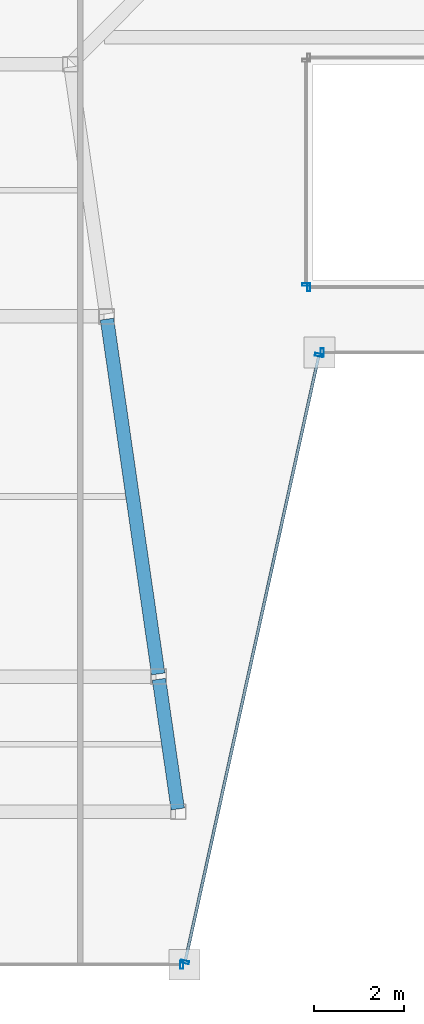
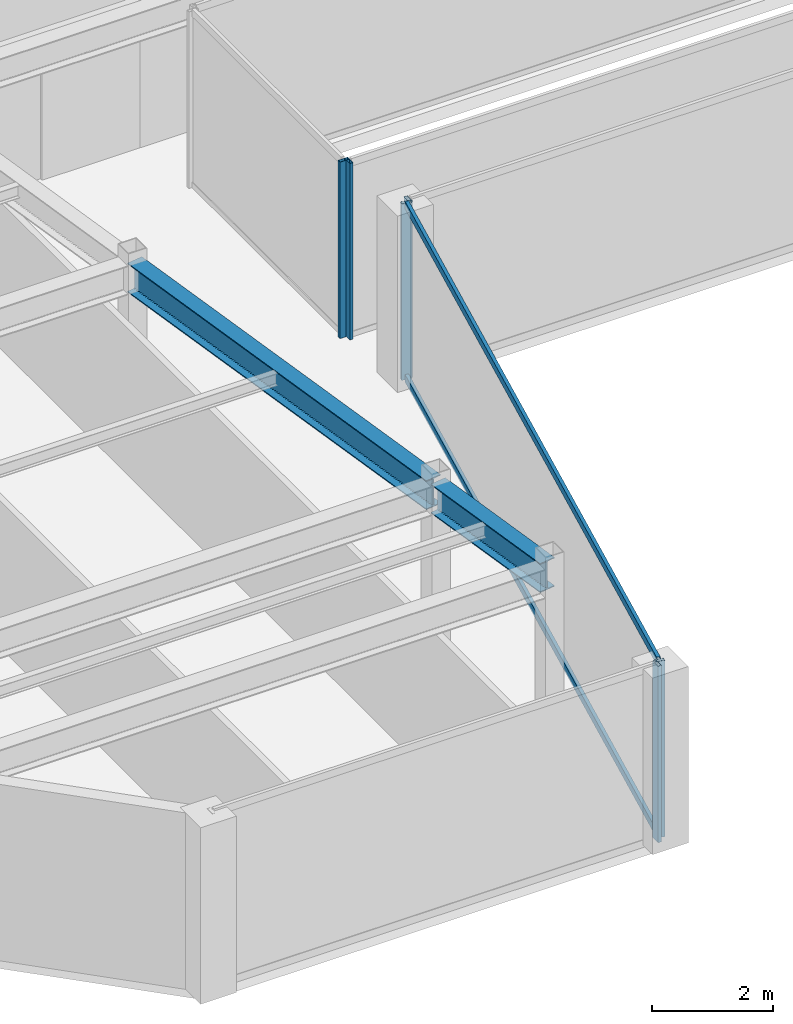
# One storey, part 5 of 33: 8 members, 2 beams, 5 elements without a shape of their own.
"""IFC4 building model written with IfcOpenShell, lengths in metres."""

from ifc_helpers import new_model, si_unit, direction, frame, origin, origin_2d, place, context, subcontext, project, spatial, hollow_rectangle, i_section, extrude, material, material_profile, profile_set, type_object, element, aggregate, save


model = new_model("IFC4")

# Units and contexts
model_context = context("Model", 3, precision=1e-05, world=origin(), true_north=direction((0.0, 1.0)))
body_context = subcontext(model_context, "Body", "Model", "MODEL_VIEW")
ifc_project = project(units=[si_unit("LENGTHUNIT", "METRE"), si_unit("AREAUNIT", "SQUARE_METRE"), si_unit("VOLUMEUNIT", "CUBIC_METRE"), si_unit("PLANEANGLEUNIT", "RADIAN"), si_unit("MASSUNIT", "GRAM", prefix="KILO")], contexts=[model_context])

# Site, building, storey
site_placement = place(None, origin())
site = spatial("IfcSite", under=ifc_project, at=site_placement, CompositionType="ELEMENT")
building_placement = place(site_placement, origin())
building = spatial("IfcBuilding", under=site, at=building_placement, Name="Saevonmaru Cultural Tower", CompositionType="ELEMENT")
storey_placement = place(building_placement, frame((0.0, 0.0, 238.199951171875)))
storey = spatial("IfcBuildingStorey", under=building, at=storey_placement, Name="L55", CompositionType="ELEMENT", Elevation=238.199951171875)

# Beams
ifc_material_1 = material(Name="Steel SM355", Category="steel")
ifc_material_profile_1 = material_profile(ifc_material_1, i_section(OverallWidth=0.300048828125, OverallDepth=0.587890625, WebThickness=0.011962890625, FlangeThickness=0.02001953125, FilletRadius=0.02392578125, at=origin_2d()), Name="H-588x300x12x20")
ifc_profile_set_1 = profile_set([ifc_material_profile_1], Name="Steel SM355")
beam_type = type_object("IfcBeamType", Name="BM-G-H588", PredefinedType="BEAM", material=ifc_profile_set_1)
beam_1_placement = place(storey_placement, frame((21.197509765625, 21.059326171875, 3.256103515625), z_axis=(-0.143229094195, 0.989689560709, 0.0), x_axis=(-0.989689560709, -0.143229094195, 0.0)))
element("IfcBeam", 1, at=beam_1_placement, inside=storey, type_object=beam_type, Name="L55 West Atrium Girder 1", PredefinedType="BEAM", context=body_context, shape_type="SweptSolid", body=[
    extrude(i_section(OverallWidth=0.300048828125, OverallDepth=0.587890625, WebThickness=0.011962890625, FlangeThickness=0.02001953125, FilletRadius=0.02392578125, at=origin_2d()), origin(), (0.0, 0.0, 1.0), 2.911376953125),
])
beam_2_placement = place(storey_placement, frame((20.763427734375, 24.059326171875, 3.256103515625), z_axis=(-0.142902032203, 0.989736838353, 0.0), x_axis=(-0.989736838353, -0.142902032203, 0.0)))
element("IfcBeam", 2, at=beam_2_placement, inside=storey, type_object=beam_type, Name="L55 West Atrium Girder 2", PredefinedType="BEAM", context=body_context, shape_type="SweptSolid", body=[
    extrude(i_section(OverallWidth=0.300048828125, OverallDepth=0.587890625, WebThickness=0.011962890625, FlangeThickness=0.02001953125, FilletRadius=0.02392578125, at=origin_2d()), origin(), (0.0, 0.0, 1.0), 7.963134765625),
])

# Curtain wall, member
ifc_material_2 = material(Name="Satin Bronze Anodised Aluminium", Category="aluminium")
curtain_wall_type_1 = type_object("IfcCurtainWallType", Name="CW-TYP-B", PredefinedType="NOTDEFINED", material=ifc_material_2)
curtain_wall_1_placement = place(storey_placement, origin())
curtain_wall_1 = element("IfcCurtainWall", 3, at=curtain_wall_1_placement, inside=storey, type_object=curtain_wall_type_1, Name="L55 Unitised Curtain Wall E2", PredefinedType="NOTDEFINED")
ifc_material_profile_2 = material_profile(ifc_material_2, hollow_rectangle(XDim=0.06494140625, YDim=0.179931640625, WallThickness=0.00390625, at=origin_2d()), Name="ALU-MULL-180x65x4")
ifc_profile_set_2 = profile_set([ifc_material_profile_2], Name="Satin Bronze Anodised Aluminium")
member_type_1 = type_object("IfcMemberType", Name="ML-CW-180x65", PredefinedType="MULLION", material=ifc_profile_set_2)
member_1_placement = place(storey_placement, frame((21.28662109375, 17.60009765625, 0.0), z_axis=(0.0, 0.0, 1.0), x_axis=(1.0, 0.0, 0.0)))
member_1 = element("IfcMember", 4, at=member_1_placement, type_object=member_type_1, Name="CW-TW-L55-E2 mullion 2", PredefinedType="MULLION", context=body_context, shape_type="SweptSolid", body=[
    extrude(hollow_rectangle(XDim=0.06494140625, YDim=0.179931640625, WallThickness=0.00390625, at=origin_2d()), origin(), (0.0, 0.0, 1.0), 3.550048828125),
])
aggregate(curtain_wall_1, [member_1])

# Curtain wall, members
curtain_wall_2_placement = place(storey_placement, origin())
curtain_wall_2 = element("IfcCurtainWall", 5, at=curtain_wall_2_placement, inside=storey, type_object=curtain_wall_type_1, Name="L55 Unitised Curtain Wall E3", PredefinedType="NOTDEFINED")
member_2_placement = place(storey_placement, frame((21.359619140625, 17.65869140625, 0.0), z_axis=(0.0, 0.0, 1.0), x_axis=(0.215413319953, 0.976522965212, 0.0)))
member_2 = element("IfcMember", 6, at=member_2_placement, type_object=member_type_1, Name="CW-TW-L55-E3 mullion 1", PredefinedType="MULLION", context=body_context, shape_type="SweptSolid", body=[
    extrude(hollow_rectangle(XDim=0.06494140625, YDim=0.179931640625, WallThickness=0.00390625, at=origin_2d()), origin(), (0.0, 0.0, 1.0), 3.550048828125),
])
member_3_placement = place(storey_placement, frame((24.333740234375, 31.141357421875, 0.0), z_axis=(0.0, 0.0, 1.0), x_axis=(0.215413319953, 0.976522965212, 0.0)))
member_3 = element("IfcMember", 7, at=member_3_placement, type_object=member_type_1, Name="CW-TW-L55-E3 mullion 2", PredefinedType="MULLION", context=body_context, shape_type="SweptSolid", body=[
    extrude(hollow_rectangle(XDim=0.06494140625, YDim=0.179931640625, WallThickness=0.00390625, at=origin_2d()), origin(), (0.0, 0.0, 1.0), 3.550048828125),
])

# Curtain wall, member
curtain_wall_3_placement = place(storey_placement, origin())
curtain_wall_3 = element("IfcCurtainWall", 8, at=curtain_wall_3_placement, inside=storey, type_object=curtain_wall_type_1, Name="L55 Unitised Curtain Wall E4", PredefinedType="NOTDEFINED")
member_4_placement = place(storey_placement, frame((24.40673828125, 31.199951171875, 0.0), z_axis=(0.0, 0.0, 1.0), x_axis=(1.0, 0.0, 0.0)))
member_4 = element("IfcMember", 9, at=member_4_placement, type_object=member_type_1, Name="CW-TW-L55-E4 mullion 1", PredefinedType="MULLION", context=body_context, shape_type="SweptSolid", body=[
    extrude(hollow_rectangle(XDim=0.06494140625, YDim=0.179931640625, WallThickness=0.00390625, at=origin_2d()), origin(), (0.0, 0.0, 1.0), 3.550048828125),
])
aggregate(curtain_wall_3, [member_4])

curtain_wall_type_2 = type_object("IfcCurtainWallType", Name="CW-ATR-GLZ", PredefinedType="NOTDEFINED", material=ifc_material_2)
curtain_wall_4_placement = place(storey_placement, origin())
curtain_wall_4 = element("IfcCurtainWall", 10, at=curtain_wall_4_placement, inside=storey, type_object=curtain_wall_type_2, Name="L55 Vertical Atrium Glazed Smoke Screen 1", PredefinedType="NOTDEFINED")
ifc_material_profile_3 = material_profile(ifc_material_2, hollow_rectangle(XDim=0.06494140625, YDim=0.179931640625, WallThickness=0.00390625, at=origin_2d()), Name="ALU-MULL-180x65x4")
ifc_profile_set_3 = profile_set([ifc_material_profile_3], Name="Satin Bronze Anodised Aluminium")
member_type_2 = type_object("IfcMemberType", Name="ML-CW-INT-180x65", PredefinedType="MULLION", material=ifc_profile_set_3)
member_5_placement = place(storey_placement, frame((24.110107421875, 32.64990234375, 0.0), z_axis=(0.0, 0.0, 1.0), x_axis=(1.0, 0.0, 0.0)))
member_5 = element("IfcMember", 11, at=member_5_placement, type_object=member_type_2, Name="CW-ATR-L55-1 mullion 1", PredefinedType="MULLION", context=body_context, shape_type="SweptSolid", body=[
    extrude(hollow_rectangle(XDim=0.06494140625, YDim=0.179931640625, WallThickness=0.00390625, at=origin_2d()), origin(), (0.0, 0.0, 1.0), 3.550048828125),
])
aggregate(curtain_wall_4, [member_5])

curtain_wall_5_placement = place(storey_placement, origin())
curtain_wall_5 = element("IfcCurtainWall", 12, at=curtain_wall_5_placement, inside=storey, type_object=curtain_wall_type_2, Name="L55 Vertical Atrium Glazed Smoke Screen 4", PredefinedType="NOTDEFINED")
member_6_placement = place(storey_placement, frame((24.050048828125, 32.7099609375, 0.0), z_axis=(0.0, 0.0, 1.0), x_axis=(0.0, -1.0, 0.0)))
member_6 = element("IfcMember", 13, at=member_6_placement, type_object=member_type_2, Name="CW-ATR-L55-4 mullion 2", PredefinedType="MULLION", context=body_context, shape_type="SweptSolid", body=[
    extrude(hollow_rectangle(XDim=0.06494140625, YDim=0.179931640625, WallThickness=0.00390625, at=origin_2d()), origin(), (0.0, 0.0, 1.0), 3.550048828125),
])
aggregate(curtain_wall_5, [member_6])

# Member
ifc_material_profile_4 = material_profile(ifc_material_2, hollow_rectangle(XDim=0.06494140625, YDim=0.14990234375, WallThickness=0.00390625, at=origin_2d()), Name="ALU-TRAN-150x65x4")
ifc_profile_set_4 = profile_set([ifc_material_profile_4], Name="Satin Bronze Anodised Aluminium")
member_type_3 = type_object("IfcMemberType", Name="TR-CW-150x65", PredefinedType="USERDEFINED", material=ifc_profile_set_4)
member_7_placement = place(storey_placement, frame((21.36669921875, 17.6904296875, 0.032470703125), z_axis=(0.215415884539, 0.976522399481, 0.0), x_axis=(-0.976522399481, 0.215415884539, 0.0)))
member_7 = element("IfcMember", 14, at=member_7_placement, type_object=member_type_3, Name="CW-TW-L55-E3 transom 1.1", ObjectType="TRANSOM", PredefinedType="USERDEFINED", context=body_context, shape_type="SweptSolid", body=[
    extrude(hollow_rectangle(XDim=0.06494140625, YDim=0.14990234375, WallThickness=0.00390625, at=origin_2d()), origin(), (0.0, 0.0, 1.0), 13.74169921875),
])

member_8_placement = place(storey_placement, frame((21.36669921875, 17.6904296875, 3.517578125), z_axis=(0.215415884539, 0.976522399481, 0.0), x_axis=(-0.976522399481, 0.215415884539, 0.0)))
member_8 = element("IfcMember", 15, at=member_8_placement, type_object=member_type_3, Name="CW-TW-L55-E3 transom 1.2", ObjectType="TRANSOM", PredefinedType="USERDEFINED", context=body_context, shape_type="SweptSolid", body=[
    extrude(hollow_rectangle(XDim=0.06494140625, YDim=0.14990234375, WallThickness=0.00390625, at=origin_2d()), origin(), (0.0, 0.0, 1.0), 13.74169921875),
])

aggregate(curtain_wall_2, [member_2, member_3, member_7, member_8])

save(model, "model.ifc")
